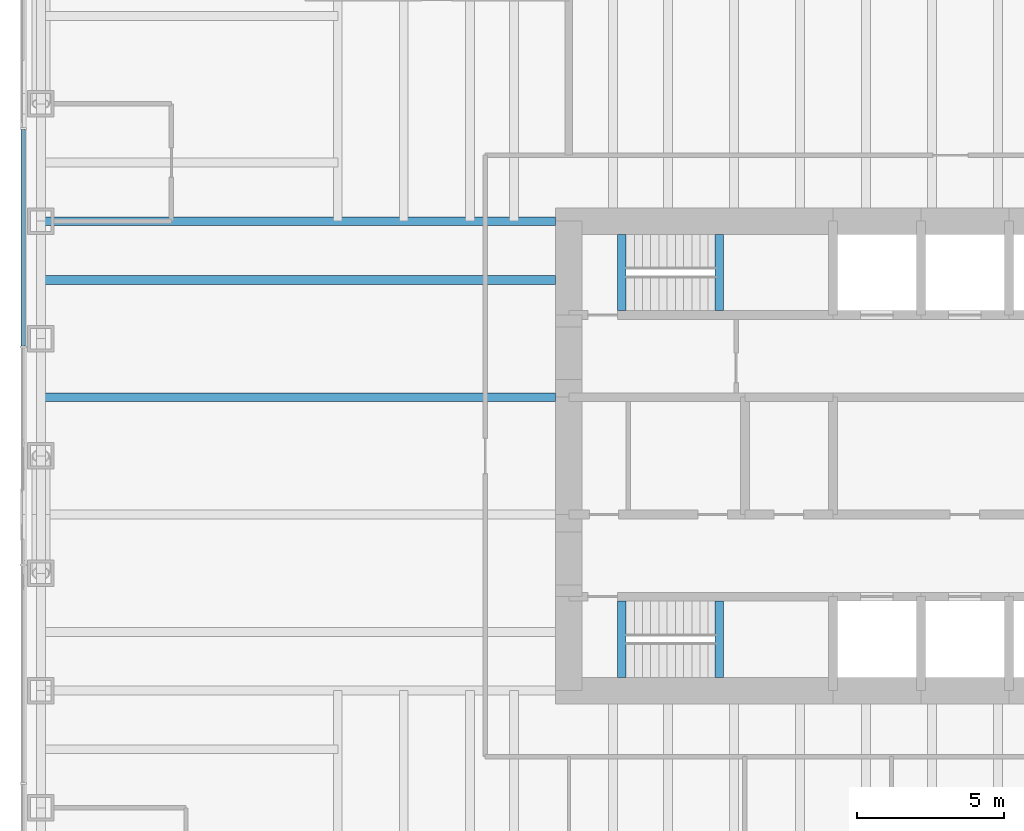
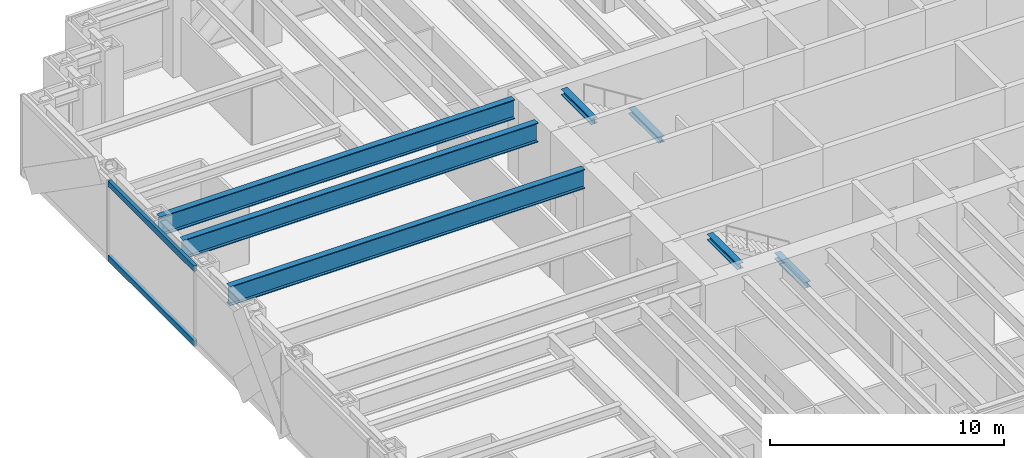
# One storey, part 3 of 17: 7 beams, 2 members, 1 element without a shape of its own.
"""IFC4 building model written with IfcOpenShell, lengths in metres."""

from ifc_helpers import new_model, si_unit, direction, frame, origin, origin_2d, place, context, subcontext, project, spatial, rectangle, i_section, extrude, material, material_profile, profile_set, type_object, element, aggregate, save


model = new_model("IFC4")

# Units and contexts
model_context = context("Model", 3, precision=1e-05, world=origin(), true_north=direction((0.0, 1.0)))
body_context = subcontext(model_context, "Body", "Model", "MODEL_VIEW")
ifc_project = project(units=[si_unit("LENGTHUNIT", "METRE"), si_unit("AREAUNIT", "SQUARE_METRE"), si_unit("VOLUMEUNIT", "CUBIC_METRE"), si_unit("PLANEANGLEUNIT", "RADIAN"), si_unit("MASSUNIT", "GRAM", prefix="KILO")], contexts=[model_context])

# Site, building, storey
site_placement = place(None, origin())
site = spatial("IfcSite", under=ifc_project, at=site_placement, CompositionType="ELEMENT")
building_placement = place(site_placement, origin())
building = spatial("IfcBuilding", under=site, at=building_placement, Name="Rheinbord Bourse Tower", CompositionType="ELEMENT")
storey_placement = place(building_placement, frame((0.0, 0.0, 159.300048828125)))
storey = spatial("IfcBuildingStorey", under=building, at=storey_placement, Name="L35", CompositionType="ELEMENT", Elevation=159.300048828125)

# Curtain wall, members
ifc_material_1 = material(Name="Dark glass and black aluminium", Category="aluminium")
curtain_wall_type = type_object("IfcCurtainWallType", Name="CW2 DARK GLASS CURTAIN WALL", PredefinedType="USERDEFINED", material=ifc_material_1)
curtain_wall_placement = place(storey_placement, origin())
curtain_wall = element("IfcCurtainWall", 1, at=curtain_wall_placement, inside=storey, type_object=curtain_wall_type, Name="Curtain wall CW2 W L35", ObjectType="UNITISED CURTAIN WALL", PredefinedType="USERDEFINED")
ifc_material_2 = material(Name="Black anodised aluminium", Category="aluminium")
ifc_material_profile_1 = material_profile(ifc_material_2, rectangle(XDim=0.159912109375, YDim=0.300048828125, at=origin_2d()), Name="CW2 TRANSOM 300x160")
ifc_profile_set_1 = profile_set([ifc_material_profile_1], Name="Black anodised aluminium")
member_type = type_object("IfcMemberType", Name="CW2 BLACK TRANSOM", PredefinedType="USERDEFINED", material=ifc_profile_set_1)
member_1_placement = place(storey_placement, frame((-0.60009765625, 35.125, 0.14990234375), z_axis=(0.0, -1.0, 0.0), x_axis=(1.0, 0.0, 0.0)))
member_1 = element("IfcMember", 2, at=member_1_placement, type_object=member_type, Name="CW2 transom 2.1", ObjectType="TRANSOM", PredefinedType="USERDEFINED", context=body_context, shape_type="SweptSolid", body=[
    extrude(rectangle(XDim=0.159912109375, YDim=0.300048828125, at=origin_2d()), origin(), (0.0, 0.0, 1.0), 7.3701171875),
])
member_2_placement = place(storey_placement, frame((-0.60009765625, 35.125, 4.050048828125), z_axis=(0.0, -1.0, 0.0), x_axis=(1.0, 0.0, 0.0)))
member_2 = element("IfcMember", 3, at=member_2_placement, type_object=member_type, Name="CW2 transom 2.2", ObjectType="TRANSOM", PredefinedType="USERDEFINED", context=body_context, shape_type="SweptSolid", body=[
    extrude(rectangle(XDim=0.159912109375, YDim=0.300048828125, at=origin_2d()), origin(), (0.0, 0.0, 1.0), 7.3701171875),
])
aggregate(curtain_wall, [member_1, member_2])

# Beams
ifc_material_3 = material(Name="Steel S460", Category="steel")
ifc_material_profile_2 = material_profile(ifc_material_3, i_section(OverallWidth=0.302001953125, OverallDepth=1.008056640625, WebThickness=0.02099609375, FlangeThickness=0.0400390625, at=origin_2d()), Name="HEM 1000")
ifc_profile_set_2 = profile_set([ifc_material_profile_2], Name="Steel S460")
beam_type_1 = type_object("IfcBeamType", Name="END BEAM HEM 1000", PredefinedType="BEAM", material=ifc_profile_set_2)
for number, where, z_axis, x_axis, name in (
    (4, (0.0, 26.0, 3.535888671875), (1.0, 0.0, 0.0), (0.0, 1.0, 0.0), "End beam west 26 L36"),
    (5, (0.0, 30.0, 3.535888671875), (1.0, 0.0, 0.0), (0.0, 1.0, 0.0), "End beam west 30 L36"),
):
    element("IfcBeam", number, at=place(storey_placement, frame(where, z_axis=z_axis, x_axis=x_axis)), inside=storey, type_object=beam_type_1, Name=name, PredefinedType="BEAM", context=body_context, shape_type="SweptSolid", body=[
        extrude(i_section(OverallWidth=0.302001953125, OverallDepth=1.008056640625, WebThickness=0.02099609375, FlangeThickness=0.0400390625, at=origin_2d()), origin(), (0.0, 0.0, 1.0), 17.550048828125),
    ])
ifc_material_4 = material(Name="Steel S460", Category="steel")
ifc_material_profile_3 = material_profile(ifc_material_4, i_section(OverallWidth=0.302001953125, OverallDepth=1.008056640625, WebThickness=0.02099609375, FlangeThickness=0.0400390625, at=origin_2d()), Name="HEM 1000")
ifc_profile_set_3 = profile_set([ifc_material_profile_3], Name="Steel S460")
beam_type_2 = type_object("IfcBeamType", Name="GIRDER HEM 1000", PredefinedType="BEAM", material=ifc_profile_set_3)
beam_placement = place(storey_placement, frame((0.0, 32.0, 3.535888671875), z_axis=(1.0, 0.0, 0.0), x_axis=(0.0, 1.0, 0.0)))
element("IfcBeam", 6, at=beam_placement, inside=storey, type_object=beam_type_2, Name="Girder west 32 L36", PredefinedType="BEAM", context=body_context, shape_type="SweptSolid", body=[
    extrude(i_section(OverallWidth=0.302001953125, OverallDepth=1.008056640625, WebThickness=0.02099609375, FlangeThickness=0.0400390625, at=origin_2d()), origin(), (0.0, 0.0, 1.0), 17.550048828125),
])
ifc_material_5 = material(Name="Steel S460", Category="steel")
ifc_material_profile_4 = material_profile(ifc_material_5, i_section(OverallWidth=0.300048828125, OverallDepth=0.300048828125, WebThickness=0.010986328125, FlangeThickness=0.01904296875, at=origin_2d()), Name="HEB 300")
ifc_profile_set_4 = profile_set([ifc_material_profile_4], Name="Steel S460")
beam_type_3 = type_object("IfcBeamType", Name="LANDING TRIMMER HEB 300", PredefinedType="BEAM", material=ifc_profile_set_4)
for number, where, z_axis, x_axis, name in (
    (7, (23.1298828125, 16.449951171875, 1.75), (0.0, 1.0, 0.0), (-1.0, 0.0, 0.0), "Landing trimmer ST1 L35"),
    (8, (19.800048828125, 16.449951171875, 3.889892578125), (0.0, 1.0, 0.0), (-1.0, 0.0, 0.0), "Well trimmer ST1 under L36"),
    (9, (23.1298828125, 28.949951171875, 1.75), (0.0, 1.0, 0.0), (-1.0, 0.0, 0.0), "Landing trimmer ST2 L35"),
    (10, (19.800048828125, 28.949951171875, 3.889892578125), (0.0, 1.0, 0.0), (-1.0, 0.0, 0.0), "Well trimmer ST2 under L36"),
):
    element("IfcBeam", number, at=place(storey_placement, frame(where, z_axis=z_axis, x_axis=x_axis)), inside=storey, type_object=beam_type_3, Name=name, PredefinedType="BEAM", context=body_context, shape_type="SweptSolid", body=[
        extrude(i_section(OverallWidth=0.300048828125, OverallDepth=0.300048828125, WebThickness=0.010986328125, FlangeThickness=0.01904296875, at=origin_2d()), origin(), (0.0, 0.0, 1.0), 2.60009765625),
    ])

save(model, "model.ifc")
